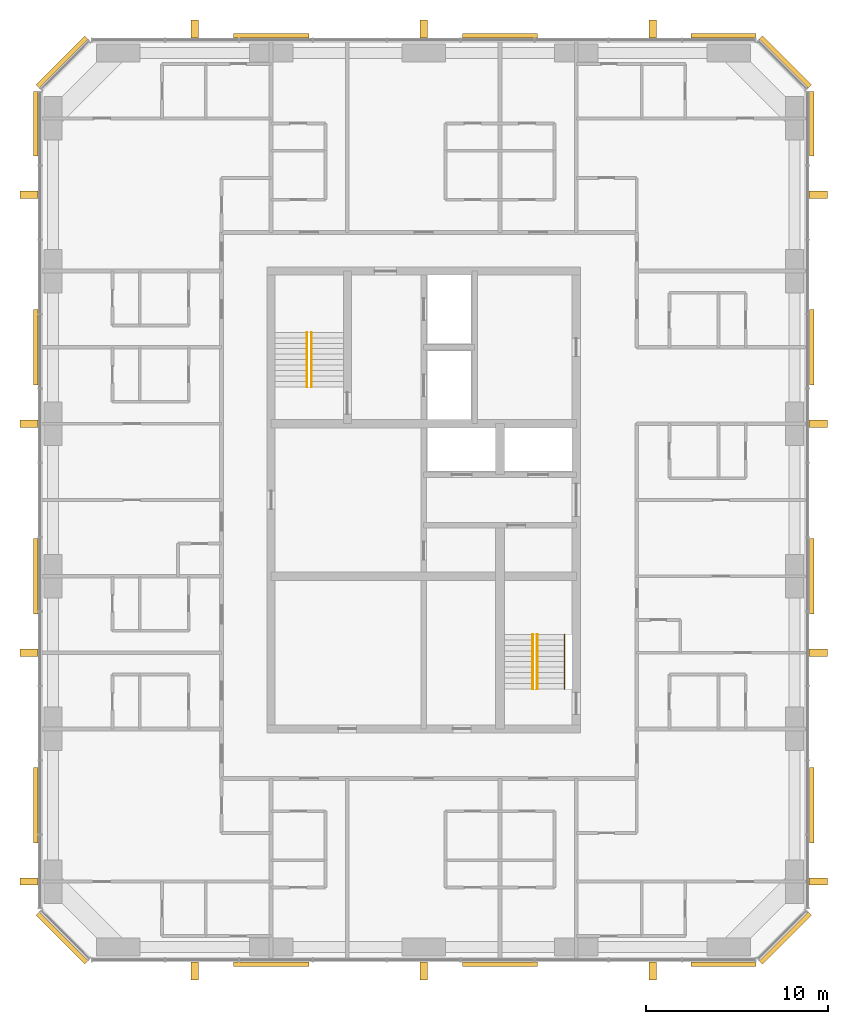
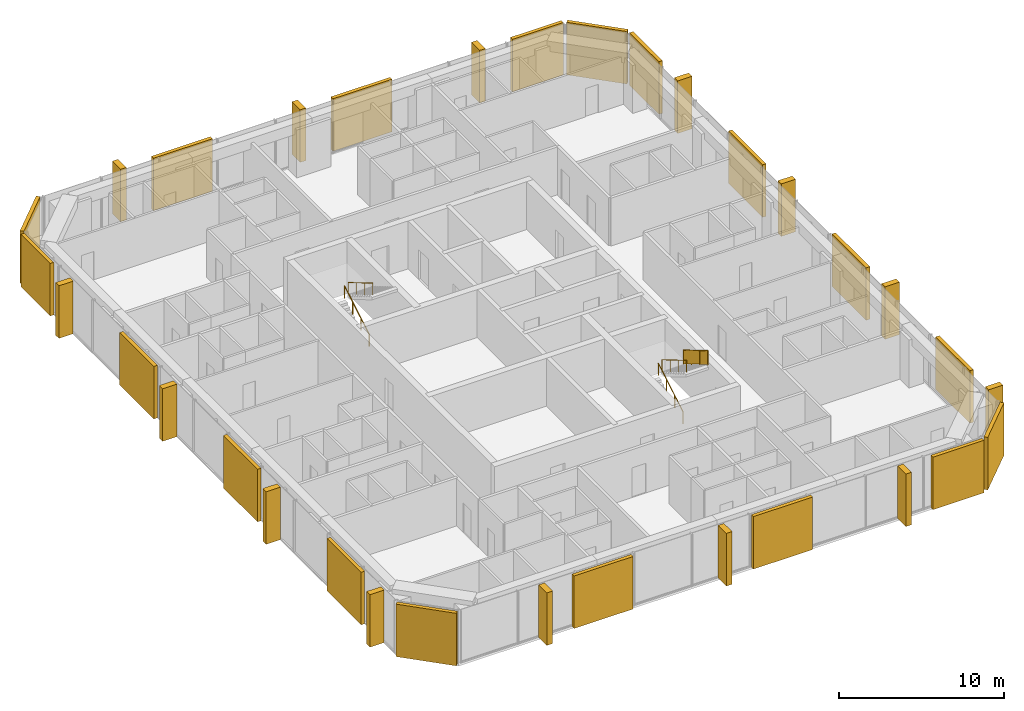
# One storey, part 12 of 12: 18 coverings, 14 shading devices, 5 railings.
"""IFC4 building model written with IfcOpenShell, lengths in metres."""

from ifc_helpers import new_model, si_unit, direction, frame, origin, origin_2d, place, context, subcontext, project, spatial, polyline, rectangle, circle, outline, extrude, material, layer, layer_set, type_object, element, save


model = new_model("IFC4")

# Units and contexts
model_context = context("Model", 3, precision=1e-05, world=origin(), true_north=direction((0.0, 1.0)))
body_context = subcontext(model_context, "Body", "Model", "MODEL_VIEW")
ifc_project = project(units=[si_unit("LENGTHUNIT", "METRE"), si_unit("AREAUNIT", "SQUARE_METRE"), si_unit("VOLUMEUNIT", "CUBIC_METRE"), si_unit("PLANEANGLEUNIT", "RADIAN"), si_unit("MASSUNIT", "GRAM", prefix="KILO")], contexts=[model_context])

# Site, building, storey
site_placement = place(None, origin())
site = spatial("IfcSite", under=ifc_project, at=site_placement, CompositionType="ELEMENT")
building_placement = place(site_placement, origin())
building = spatial("IfcBuilding", under=site, at=building_placement, Name="Dunama Terrace Hotel", CompositionType="ELEMENT")
storey_placement = place(building_placement, frame((0.0, 0.0, 272.39990234375)))
storey = spatial("IfcBuildingStorey", under=building, at=storey_placement, Name="L70", CompositionType="ELEMENT", Elevation=272.39990234375)

# Railings
ifc_material_1 = material(Name="Stainless steel and laminated glass guard", Category="steel")
railing_type_1 = type_object("IfcRailingType", Name="Guard 1100", PredefinedType="GUARDRAIL", material=ifc_material_1)
railing_1_placement = place(storey_placement, frame((41.35009765625, 22.0, 2.12744140625)))
element("IfcRailing", 1, at=railing_1_placement, inside=storey, type_object=railing_type_1, Name="Stair guard ST2 L70", PredefinedType="GUARDRAIL", context=body_context, shape_type="SweptSolid", body=[
    extrude(circle(Radius=0.02392578125, at=origin_2d()), frame((0.0, 0.0, 1.076171875), z_axis=(0.0, -0.86092931783, 0.508724591208), x_axis=(1.0, 0.0, 0.0)), (0.0, 0.0, 1.0), 3.484619140625),
    extrude(circle(Radius=0.02099609375, at=origin_2d()), origin(), (0.0, 0.0, 1.0), 1.052001953125),
    extrude(circle(Radius=0.02099609375, at=origin_2d()), frame((0.0, -1.0, 0.5908203125)), (0.0, 0.0, 1.0), 1.052001953125),
    extrude(circle(Radius=0.02099609375, at=origin_2d()), frame((0.0, -2.0, 1.181884765625)), (0.0, 0.0, 1.0), 1.052001953125),
    extrude(circle(Radius=0.02099609375, at=origin_2d()), frame((0.0, -3.0, 1.772705078125)), (0.0, 0.0, 1.0), 1.052001953125),
    extrude(outline(polyline([(0.0048828125, 0.052978515625), (0.9951171875, 0.63818359375), (0.9951171875, 1.6640625), (0.0048828125, 1.078857421875), (0.0048828125, 0.052978515625)])), frame((0.0087890625, 0.0, 0.0), z_axis=(-1.0, 0.0, 0.0), x_axis=(0.0, -1.0, 0.0)), (0.0, 0.0, 1.0), 0.017578125),
    extrude(outline(polyline([(0.0048828125, 0.052978515625), (0.9951171875, 0.63818359375), (0.9951171875, 1.6640625), (0.0048828125, 1.078857421875), (0.0048828125, 0.052978515625)])), frame((0.0087890625, -1.0, 0.5908203125), z_axis=(-1.0, 0.0, 0.0), x_axis=(0.0, -1.0, 0.0)), (0.0, 0.0, 1.0), 0.017578125),
    extrude(outline(polyline([(0.0048828125, 0.052978515625), (0.9951171875, 0.63818359375), (0.9951171875, 1.6640625), (0.0048828125, 1.078857421875), (0.0048828125, 0.052978515625)])), frame((0.0087890625, -2.0, 1.181884765625), z_axis=(-1.0, 0.0, 0.0), x_axis=(0.0, -1.0, 0.0)), (0.0, 0.0, 1.0), 0.017578125),
])
ifc_material_2 = material(Name="Stainless steel handrail", Category="steel")
railing_type_2 = type_object("IfcRailingType", Name="Stair handrail 900", PredefinedType="HANDRAIL", material=ifc_material_2)
railing_2_placement = place(storey_placement, frame((27.175048828125, 35.625, 0.177490234375)))
element("IfcRailing", 2, at=railing_2_placement, inside=storey, type_object=railing_type_2, Name="Handrail ST1 L70", PredefinedType="HANDRAIL", context=body_context, shape_type="SweptSolid", body=[
    extrude(circle(Radius=0.02392578125, at=origin_2d()), frame((0.0, 0.0, 0.8759765625), z_axis=(0.0, 0.86092931783, 0.508724591208), x_axis=(-1.0, 0.0, 0.0)), (0.0, 0.0, 1.0), 3.484619140625),
    extrude(circle(Radius=0.02099609375, at=origin_2d()), origin(), (0.0, 0.0, 1.0), 0.851806640625),
    extrude(circle(Radius=0.02099609375, at=origin_2d()), frame((0.0, 1.0, 0.5908203125)), (0.0, 0.0, 1.0), 0.851806640625),
    extrude(circle(Radius=0.02099609375, at=origin_2d()), frame((0.0, 2.0, 1.181884765625)), (0.0, 0.0, 1.0), 0.851806640625),
    extrude(circle(Radius=0.02099609375, at=origin_2d()), frame((0.0, 3.0, 1.772705078125)), (0.0, 0.0, 1.0), 0.851806640625),
])
railing_3_placement = place(storey_placement, frame((27.425048828125, 38.625, 2.12744140625)))
element("IfcRailing", 3, at=railing_3_placement, inside=storey, type_object=railing_type_2, Name="Handrail ST1 L70", PredefinedType="HANDRAIL", context=body_context, shape_type="SweptSolid", body=[
    extrude(circle(Radius=0.02392578125, at=origin_2d()), frame((0.0, 0.0, 0.8759765625), z_axis=(0.0, -0.86092931783, 0.508724591208), x_axis=(1.0, 0.0, 0.0)), (0.0, 0.0, 1.0), 3.484619140625),
    extrude(circle(Radius=0.02099609375, at=origin_2d()), origin(), (0.0, 0.0, 1.0), 0.851806640625),
    extrude(circle(Radius=0.02099609375, at=origin_2d()), frame((0.0, -1.0, 0.5908203125)), (0.0, 0.0, 1.0), 0.851806640625),
    extrude(circle(Radius=0.02099609375, at=origin_2d()), frame((0.0, -2.0, 1.181884765625)), (0.0, 0.0, 1.0), 0.851806640625),
    extrude(circle(Radius=0.02099609375, at=origin_2d()), frame((0.0, -3.0, 1.772705078125)), (0.0, 0.0, 1.0), 0.851806640625),
])
railing_4_placement = place(storey_placement, frame((39.60009765625, 19.0, 0.177490234375)))
element("IfcRailing", 4, at=railing_4_placement, inside=storey, type_object=railing_type_2, Name="Handrail ST2 L70", PredefinedType="HANDRAIL", context=body_context, shape_type="SweptSolid", body=[
    extrude(circle(Radius=0.02392578125, at=origin_2d()), frame((0.0, 0.0, 0.8759765625), z_axis=(0.0, 0.86092931783, 0.508724591208), x_axis=(-1.0, 0.0, 0.0)), (0.0, 0.0, 1.0), 3.484619140625),
    extrude(circle(Radius=0.02099609375, at=origin_2d()), origin(), (0.0, 0.0, 1.0), 0.851806640625),
    extrude(circle(Radius=0.02099609375, at=origin_2d()), frame((0.0, 1.0, 0.5908203125)), (0.0, 0.0, 1.0), 0.851806640625),
    extrude(circle(Radius=0.02099609375, at=origin_2d()), frame((0.0, 2.0, 1.181884765625)), (0.0, 0.0, 1.0), 0.851806640625),
    extrude(circle(Radius=0.02099609375, at=origin_2d()), frame((0.0, 3.0, 1.772705078125)), (0.0, 0.0, 1.0), 0.851806640625),
])
railing_5_placement = place(storey_placement, frame((39.85009765625, 22.0, 2.12744140625)))
element("IfcRailing", 5, at=railing_5_placement, inside=storey, type_object=railing_type_2, Name="Handrail ST2 L70", PredefinedType="HANDRAIL", context=body_context, shape_type="SweptSolid", body=[
    extrude(circle(Radius=0.02392578125, at=origin_2d()), frame((0.0, 0.0, 0.8759765625), z_axis=(0.0, -0.86092931783, 0.508724591208), x_axis=(1.0, 0.0, 0.0)), (0.0, 0.0, 1.0), 3.484619140625),
    extrude(circle(Radius=0.02099609375, at=origin_2d()), origin(), (0.0, 0.0, 1.0), 0.851806640625),
    extrude(circle(Radius=0.02099609375, at=origin_2d()), frame((0.0, -1.0, 0.5908203125)), (0.0, 0.0, 1.0), 0.851806640625),
    extrude(circle(Radius=0.02099609375, at=origin_2d()), frame((0.0, -2.0, 1.181884765625)), (0.0, 0.0, 1.0), 0.851806640625),
    extrude(circle(Radius=0.02099609375, at=origin_2d()), frame((0.0, -3.0, 1.772705078125)), (0.0, 0.0, 1.0), 0.851806640625),
])

# Coverings
ifc_material_3 = material(Name="Warm reconstituted stone panel", Category="masonry")
ifc_layer_1 = layer(ifc_material_3, 0.25)
ifc_layer_set_1 = layer_set([ifc_layer_1], Name="Stone diagonal panel")
covering_type = type_object("IfcCoveringType", Name="Stone diagonal panel", PredefinedType="CLADDING", material=ifc_layer_set_1)
for number, where, z_axis, x_axis, name in (
    (6, (25.199951171875, 3.8369140625, 0.002197265625), (0.0, 0.0, 1.0), (1.0, 0.0, 0.0), "Stone diagonal panel L70"),
    (7, (37.800048828125, 3.8369140625, 0.002197265625), (0.0, 0.0, 1.0), (1.0, 0.0, 0.0), "Stone diagonal panel L70"),
):
    element("IfcCovering", number, at=place(storey_placement, frame(where, z_axis=z_axis, x_axis=x_axis)), inside=storey, type_object=covering_type, Name=name, PredefinedType="CLADDING", context=body_context, shape_type="SweptSolid", body=[
        extrude(rectangle(XDim=4.14990234375, YDim=0.25, at=origin_2d()), origin(), (0.0, 0.0, 1.0), 3.89599609375),
    ])
covering_1_placement = place(storey_placement, frame((50.110107421875, 3.8369140625, 0.002197265625), z_axis=(0.0, 0.0, 1.0), x_axis=(1.0, 0.0, 0.0)))
element("IfcCovering", 8, at=covering_1_placement, inside=storey, type_object=covering_type, Name="Stone diagonal panel L70", PredefinedType="CLADDING", context=body_context, shape_type="SweptSolid", body=[
    extrude(rectangle(XDim=3.570068359375, YDim=0.25, at=origin_2d()), origin(), (0.0, 0.0, 1.0), 3.89599609375),
])
covering_2_placement = place(storey_placement, frame((53.507080078125, 5.29296875, 0.002197265625), z_axis=(0.0, 0.0, 1.0), x_axis=(0.707106781187, 0.707106781187, 0.0)))
element("IfcCovering", 9, at=covering_2_placement, inside=storey, type_object=covering_type, Name="Stone diagonal panel L70", PredefinedType="CLADDING", context=body_context, shape_type="SweptSolid", body=[
    extrude(rectangle(XDim=3.808349609375, YDim=0.25, at=origin_2d()), origin(), (0.0, 0.0, 1.0), 3.89599609375),
])
for number, where, z_axis, x_axis, name in (
    (10, (54.962890625, 12.60009765625, 0.002197265625), (0.0, 0.0, 1.0), (0.0, 1.0, 0.0), "Stone diagonal panel L70"),
    (11, (54.962890625, 25.199951171875, 0.002197265625), (0.0, 0.0, 1.0), (0.0, 1.0, 0.0), "Stone diagonal panel L70"),
    (12, (54.962890625, 37.800048828125, 0.002197265625), (0.0, 0.0, 1.0), (0.0, 1.0, 0.0), "Stone diagonal panel L70"),
):
    element("IfcCovering", number, at=place(storey_placement, frame(where, z_axis=z_axis, x_axis=x_axis)), inside=storey, type_object=covering_type, Name=name, PredefinedType="CLADDING", context=body_context, shape_type="SweptSolid", body=[
        extrude(rectangle(XDim=4.14990234375, YDim=0.25, at=origin_2d()), origin(), (0.0, 0.0, 1.0), 3.89599609375),
    ])
covering_3_placement = place(storey_placement, frame((54.962890625, 50.110107421875, 0.002197265625), z_axis=(0.0, 0.0, 1.0), x_axis=(0.0, 1.0, 0.0)))
element("IfcCovering", 13, at=covering_3_placement, inside=storey, type_object=covering_type, Name="Stone diagonal panel L70", PredefinedType="CLADDING", context=body_context, shape_type="SweptSolid", body=[
    extrude(rectangle(XDim=3.570068359375, YDim=0.25, at=origin_2d()), origin(), (0.0, 0.0, 1.0), 3.89599609375),
])
covering_4_placement = place(storey_placement, frame((53.507080078125, 53.507080078125, 0.002197265625), z_axis=(0.0, 0.0, 1.0), x_axis=(-0.707106781187, 0.707106781187, 0.0)))
element("IfcCovering", 14, at=covering_4_placement, inside=storey, type_object=covering_type, Name="Stone diagonal panel L70", PredefinedType="CLADDING", context=body_context, shape_type="SweptSolid", body=[
    extrude(rectangle(XDim=3.808349609375, YDim=0.25, at=origin_2d()), origin(), (0.0, 0.0, 1.0), 3.89599609375),
])
covering_5_placement = place(storey_placement, frame((50.110107421875, 54.962890625, 0.002197265625), z_axis=(0.0, 0.0, 1.0), x_axis=(-1.0, 0.0, 0.0)))
element("IfcCovering", 15, at=covering_5_placement, inside=storey, type_object=covering_type, Name="Stone diagonal panel L70", PredefinedType="CLADDING", context=body_context, shape_type="SweptSolid", body=[
    extrude(rectangle(XDim=3.570068359375, YDim=0.25, at=origin_2d()), origin(), (0.0, 0.0, 1.0), 3.89599609375),
])
for number, where, z_axis, x_axis, name in (
    (16, (37.800048828125, 54.962890625, 0.002197265625), (0.0, 0.0, 1.0), (-1.0, 0.0, 0.0), "Stone diagonal panel L70"),
    (17, (25.199951171875, 54.962890625, 0.002197265625), (0.0, 0.0, 1.0), (-1.0, 0.0, 0.0), "Stone diagonal panel L70"),
):
    element("IfcCovering", number, at=place(storey_placement, frame(where, z_axis=z_axis, x_axis=x_axis)), inside=storey, type_object=covering_type, Name=name, PredefinedType="CLADDING", context=body_context, shape_type="SweptSolid", body=[
        extrude(rectangle(XDim=4.14990234375, YDim=0.25, at=origin_2d()), origin(), (0.0, 0.0, 1.0), 3.89599609375),
    ])
covering_6_placement = place(storey_placement, frame((13.693115234375, 53.507080078125, 0.002197265625), z_axis=(0.0, 0.0, 1.0), x_axis=(-0.707106781187, -0.707106781187, 0.0)))
element("IfcCovering", 18, at=covering_6_placement, inside=storey, type_object=covering_type, Name="Stone diagonal panel L70", PredefinedType="CLADDING", context=body_context, shape_type="SweptSolid", body=[
    extrude(rectangle(XDim=3.808349609375, YDim=0.25, at=origin_2d()), origin(), (0.0, 0.0, 1.0), 3.89599609375),
])
covering_7_placement = place(storey_placement, frame((12.237060546875, 50.110107421875, 0.002197265625), z_axis=(0.0, 0.0, 1.0), x_axis=(0.0, -1.0, 0.0)))
element("IfcCovering", 19, at=covering_7_placement, inside=storey, type_object=covering_type, Name="Stone diagonal panel L70", PredefinedType="CLADDING", context=body_context, shape_type="SweptSolid", body=[
    extrude(rectangle(XDim=3.570068359375, YDim=0.25, at=origin_2d()), origin(), (0.0, 0.0, 1.0), 3.89599609375),
])
for number, where, z_axis, x_axis, name in (
    (20, (12.237060546875, 37.800048828125, 0.002197265625), (0.0, 0.0, 1.0), (0.0, -1.0, 0.0), "Stone diagonal panel L70"),
    (21, (12.237060546875, 25.199951171875, 0.002197265625), (0.0, 0.0, 1.0), (0.0, -1.0, 0.0), "Stone diagonal panel L70"),
    (22, (12.237060546875, 12.60009765625, 0.002197265625), (0.0, 0.0, 1.0), (0.0, -1.0, 0.0), "Stone diagonal panel L70"),
):
    element("IfcCovering", number, at=place(storey_placement, frame(where, z_axis=z_axis, x_axis=x_axis)), inside=storey, type_object=covering_type, Name=name, PredefinedType="CLADDING", context=body_context, shape_type="SweptSolid", body=[
        extrude(rectangle(XDim=4.14990234375, YDim=0.25, at=origin_2d()), origin(), (0.0, 0.0, 1.0), 3.89599609375),
    ])
covering_8_placement = place(storey_placement, frame((13.693115234375, 5.29296875, 0.002197265625), z_axis=(0.0, 0.0, 1.0), x_axis=(0.707106781187, -0.707106781187, 0.0)))
element("IfcCovering", 23, at=covering_8_placement, inside=storey, type_object=covering_type, Name="Stone diagonal panel L70", PredefinedType="CLADDING", context=body_context, shape_type="SweptSolid", body=[
    extrude(rectangle(XDim=3.808349609375, YDim=0.25, at=origin_2d()), origin(), (0.0, 0.0, 1.0), 3.89599609375),
])

# Shading devices
ifc_material_4 = material(Name="Warm reconstituted stone fin", Category="masonry")
ifc_layer_2 = layer(ifc_material_4, 0.39990234375)
ifc_layer_set_2 = layer_set([ifc_layer_2], Name="Warm stone fin 400x1000")
shading_device_type = type_object("IfcShadingDeviceType", Name="Warm stone fin 400x1000", PredefinedType="USERDEFINED", material=ifc_layer_set_2)
for number, where, z_axis, x_axis, name in (
    (24, (21.0, 3.48193359375, 0.000244140625), (0.0, 0.0, 1.0), (1.0, 0.0, 0.0), "Stone fin"),
    (25, (33.60009765625, 3.48193359375, 0.000244140625), (0.0, 0.0, 1.0), (1.0, 0.0, 0.0), "Stone fin"),
    (26, (46.199951171875, 3.48193359375, 0.000244140625), (0.0, 0.0, 1.0), (1.0, 0.0, 0.0), "Stone fin"),
    (27, (55.318115234375, 8.39990234375, 0.000244140625), (0.0, 0.0, 1.0), (0.0, 1.0, 0.0), "Stone fin"),
    (28, (55.318115234375, 21.0, 0.000244140625), (0.0, 0.0, 1.0), (0.0, 1.0, 0.0), "Stone fin"),
    (29, (55.318115234375, 33.60009765625, 0.000244140625), (0.0, 0.0, 1.0), (0.0, 1.0, 0.0), "Stone fin"),
    (30, (55.318115234375, 46.199951171875, 0.000244140625), (0.0, 0.0, 1.0), (0.0, 1.0, 0.0), "Stone fin"),
    (31, (46.199951171875, 55.318115234375, 0.000244140625), (0.0, 0.0, 1.0), (-1.0, 0.0, 0.0), "Stone fin"),
    (32, (33.60009765625, 55.318115234375, 0.000244140625), (0.0, 0.0, 1.0), (-1.0, 0.0, 0.0), "Stone fin"),
    (33, (21.0, 55.318115234375, 0.000244140625), (0.0, 0.0, 1.0), (-1.0, 0.0, 0.0), "Stone fin"),
    (34, (11.882080078125, 46.199951171875, 0.000244140625), (0.0, 0.0, 1.0), (0.0, -1.0, 0.0), "Stone fin"),
    (35, (11.882080078125, 33.60009765625, 0.000244140625), (0.0, 0.0, 1.0), (0.0, -1.0, 0.0), "Stone fin"),
    (36, (11.882080078125, 21.0, 0.000244140625), (0.0, 0.0, 1.0), (0.0, -1.0, 0.0), "Stone fin"),
    (37, (11.882080078125, 8.39990234375, 0.000244140625), (0.0, 0.0, 1.0), (0.0, -1.0, 0.0), "Stone fin"),
):
    element("IfcShadingDevice", number, at=place(storey_placement, frame(where, z_axis=z_axis, x_axis=x_axis)), inside=storey, type_object=shading_device_type, Name=name, ObjectType="FIN", PredefinedType="USERDEFINED", context=body_context, shape_type="SweptSolid", body=[
        extrude(rectangle(XDim=0.39990234375, YDim=1.0, at=origin_2d()), origin(), (0.0, 0.0, 1.0), 3.89990234375),
    ])

save(model, "model.ifc")
